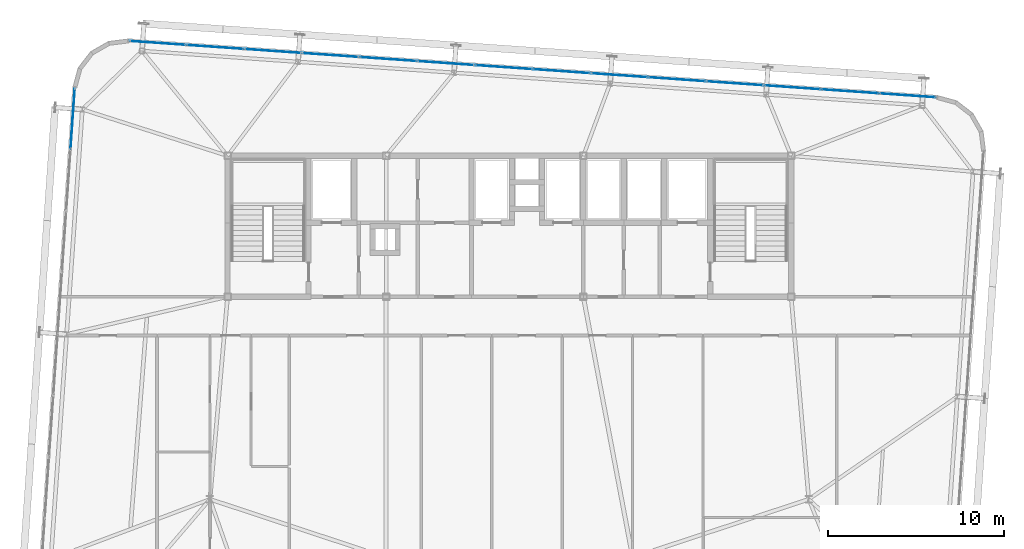
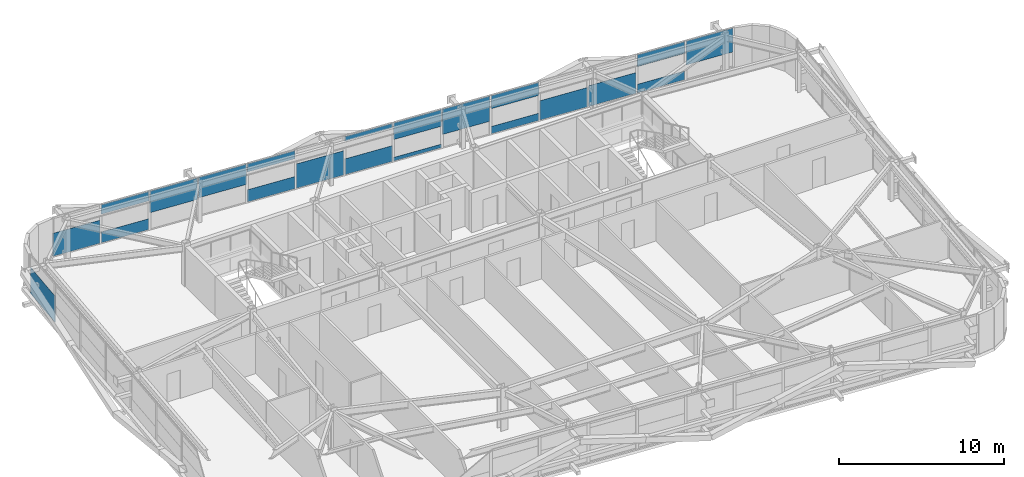
# One storey, part 32 of 47: 21 plates, 2 elements without a shape of their own.
"""IFC4 building model written with IfcOpenShell, lengths in metres."""

import ifcopenshell
import ifcopenshell.guid

model = None  # the IFC model being written
_history = None  # IfcOwnerHistory: only IFC2X3 demands one
_inside = {}  # id of a spatial element -> (the spatial element, [elements in it])
_under = {}  # id of a project, library or spatial element -> (it, [spatial elements below it])
_declared = {}  # id of a project -> (the project, [libraries it declares])
_typed = {}  # id of a type object -> (the type object, [elements of that type])
_made_of = {}  # id of a material, layer set ... -> (it, [elements and type objects made of it])


def new_model(schema):
    """Start an empty IFC model of exactly this schema.

    Asked for "IFC4X3", IfcOpenShell would pick the latest addendum, in which some entities
    have other attributes; the version numbers below select the first issue.
    IFC2X3 requires an IfcOwnerHistory on every rooted entity: one is made here for all.
    """
    global model, _history
    if schema == "IFC4X3":
        model = ifcopenshell.file(schema_version=(4, 3, 0, 0))
    else:
        model = ifcopenshell.file(schema=schema)
    _inside.clear()
    _under.clear()
    _declared.clear()
    _typed.clear()
    _made_of.clear()
    _history = None
    if model.schema == "IFC2X3":
        org = make("IfcOrganization", Name="unknown")
        user = make(
            "IfcPersonAndOrganization",
            ThePerson=make("IfcPerson", FamilyName="unknown"),
            TheOrganization=org,
        )
        app = make(
            "IfcApplication",
            ApplicationDeveloper=org,
            Version="unknown",
            ApplicationFullName="unknown",
            ApplicationIdentifier="unknown",
        )
        _history = make(
            "IfcOwnerHistory",
            OwningUser=user,
            OwningApplication=app,
            ChangeAction="ADDED",
            CreationDate=0,
        )
    return model


def make(cls, **values):
    """One entity of the class cls with the attributes given. An attribute that is None is left unset."""
    return model.create_entity(
        cls, **{name: value for name, value in values.items() if value is not None}
    )


def rooted(cls, **values):
    """An entity with a GlobalId (a new one), such as an element, a storey or a relation."""
    return make(cls, GlobalId=ifcopenshell.guid.new(), OwnerHistory=_history, **values)


def si_unit(unit_type, name, prefix=None):
    """IfcSIUnit, for example si_unit("LENGTHUNIT", "METRE", prefix="MILLI")."""
    return make("IfcSIUnit", UnitType=unit_type, Prefix=prefix, Name=name)


def assignment(units):
    """IfcUnitAssignment: the units of a project."""
    return None if units is None else make("IfcUnitAssignment", Units=units)


def point(xyz):
    """IfcCartesianPoint."""
    return None if xyz is None else make("IfcCartesianPoint", Coordinates=xyz)


def direction(xyz):
    """IfcDirection."""
    return None if xyz is None else make("IfcDirection", DirectionRatios=xyz)


def frame(location, z_axis=None, x_axis=None):
    """IfcAxis2Placement3D, a coordinate frame: its origin and axes. An axis left out is left unset."""
    return make(
        "IfcAxis2Placement3D",
        Location=point(location),
        Axis=direction(z_axis),
        RefDirection=direction(x_axis),
    )


def frame_2d(location, x_axis=None):
    """IfcAxis2Placement2D, a coordinate frame in the plane: its origin and x axis."""
    return make(
        "IfcAxis2Placement2D", Location=point(location), RefDirection=direction(x_axis)
    )


def origin():
    """The frame at (0, 0, 0) with its axes left unset."""
    return frame((0.0, 0.0, 0.0))


def origin_2d():
    """The frame at (0, 0) in the plane with its x axis left unset."""
    return frame_2d((0.0, 0.0))


def place(relative_to, where):
    """IfcLocalPlacement: puts the frame where relative to a parent placement (None: the world)."""
    return make(
        "IfcLocalPlacement", PlacementRelTo=relative_to, RelativePlacement=where
    )


def context(
    kind, dimensions, precision=None, world=None, true_north=None, identifier=None
):
    """IfcGeometricRepresentationContext, for example the 3D "Model" context."""
    return make(
        "IfcGeometricRepresentationContext",
        ContextIdentifier=identifier,
        ContextType=kind,
        CoordinateSpaceDimension=dimensions,
        Precision=precision,
        WorldCoordinateSystem=world,
        TrueNorth=true_north,
    )


def subcontext(parent, identifier, kind, view, scale=None):
    """IfcGeometricRepresentationSubContext, for example "Body" below "Model"."""
    return make(
        "IfcGeometricRepresentationSubContext",
        ContextIdentifier=identifier,
        ContextType=kind,
        ParentContext=parent,
        TargetScale=scale,
        TargetView=view,
    )


def project(units=None, contexts=None):
    """IfcProject with its units and contexts."""
    return rooted(
        "IfcProject",
        Name="project",
        RepresentationContexts=contexts,
        UnitsInContext=assignment(units),
    )


def spatial(cls, under=None, at=None, **own):
    """A site, building, storey or space (cls), placed at a placement, below another one or the project."""
    s = rooted(cls, ObjectPlacement=at, **own)
    if under is not None:
        _under.setdefault(under.id(), (under, []))[1].append(s)
    return s


def profile(cls, at=None, kind="AREA", **sizes):
    """A parametric profile (cls). Its sizes go by their IFC names, for example OverallWidth=200.0."""
    return make(cls, ProfileType=kind, Position=at, **sizes)


def rectangle(**sizes):
    """IfcRectangleProfileDef."""
    return profile("IfcRectangleProfileDef", **sizes)


def extrude(swept, where, along, depth):
    """IfcExtrudedAreaSolid: the profile swept, set in the frame where, extruded along a direction by depth."""
    return make(
        "IfcExtrudedAreaSolid",
        SweptArea=swept,
        Position=where,
        ExtrudedDirection=direction(along),
        Depth=depth,
    )


def shape(context_of_items, identifier, shape_type, items):
    """IfcShapeRepresentation: the items that make up one representation, for example the "Body"."""
    return make(
        "IfcShapeRepresentation",
        ContextOfItems=context_of_items,
        RepresentationIdentifier=identifier,
        RepresentationType=shape_type,
        Items=items,
    )


def source(mapping_origin, context_of_items, identifier, shape_type, items):
    """IfcRepresentationMap: a shape defined once, which mapped items show again and again."""
    return make(
        "IfcRepresentationMap",
        MappingOrigin=mapping_origin,
        MappedRepresentation=shape(context_of_items, identifier, shape_type, items),
    )


def transform(
    local_origin,
    x_axis=None,
    y_axis=None,
    z_axis=None,
    scale=None,
    scale2=None,
    scale3=None,
    uniform=True,
):
    """IfcCartesianTransformationOperator3D, or its non-uniform kind. x_axis, y_axis, z_axis: its Axis1, 2, 3."""
    if uniform:
        return make(
            "IfcCartesianTransformationOperator3D",
            Axis1=direction(x_axis),
            Axis2=direction(y_axis),
            LocalOrigin=point(local_origin),
            Scale=scale,
            Axis3=direction(z_axis),
        )
    return make(
        "IfcCartesianTransformationOperator3DnonUniform",
        Axis1=direction(x_axis),
        Axis2=direction(y_axis),
        LocalOrigin=point(local_origin),
        Scale=scale,
        Axis3=direction(z_axis),
        Scale2=scale2,
        Scale3=scale3,
    )


def mapped(mapping_source, mapping_target):
    """IfcMappedItem: shows the shape of a source again, moved by a transform."""
    return make(
        "IfcMappedItem", MappingSource=mapping_source, MappingTarget=mapping_target
    )


def material(Name=None, Category=None):
    """IfcMaterial."""
    return make("IfcMaterial", Name=Name, Category=Category)


def layer(
    of_material, thickness, ventilated=None, Name=None, Category=None, Priority=None
):
    """IfcMaterialLayer: one layer of a wall or slab, of a material (None: an air gap)."""
    return make(
        "IfcMaterialLayer",
        Material=of_material,
        LayerThickness=thickness,
        IsVentilated=ventilated,
        Name=Name,
        Category=Category,
        Priority=Priority,
    )


def layer_set(layers, Name=None):
    """IfcMaterialLayerSet."""
    return make("IfcMaterialLayerSet", MaterialLayers=layers, LayerSetName=Name)


def made_of(thing, what):
    """Note that an element or type object is made of a material, layer set ...; save() writes the relation."""
    if what is not None:
        _made_of.setdefault(what.id(), (what, []))[1].append(thing)
    return thing


def type_object(cls, material=None, **own):
    """A type object (cls), such as IfcWallType, which elements share."""
    return made_of(rooted(cls, **own), material)


def element(
    cls,
    number,
    at=None,
    inside=None,
    cuts=None,
    type_object=None,
    material=None,
    context=None,
    identifier="Body",
    shape_type=None,
    held_by="IfcProductDefinitionShape",
    body=None,
    shapes=None,
    **own,
):
    """One element of the class cls, such as IfcWall. Its Tag is "e" and its number.

    at: its placement. inside: the storey or other place that contains it. cuts: it is an
    opening in that element (IfcRelVoidsElement). A single representation is given by context,
    identifier, shape_type and body (its items); several are given by shapes. held_by: the class
    of the entity that holds the representations. save() writes the other relations.
    """
    e = rooted(cls, Tag="e%d" % number, ObjectPlacement=at, **own)
    if body is not None:
        shapes = [shape(context, identifier, shape_type, body)]
    if shapes is not None:
        e.Representation = make(held_by, Representations=shapes)
    if inside is not None:
        _inside.setdefault(inside.id(), (inside, []))[1].append(e)
    if cuts is not None:
        rooted(
            "IfcRelVoidsElement", RelatingBuildingElement=cuts, RelatedOpeningElement=e
        )
    if type_object is not None:
        _typed.setdefault(type_object.id(), (type_object, []))[1].append(e)
    return made_of(e, material)


def aggregate(whole, parts):
    """IfcRelAggregates: a whole, such as a stair, and the parts it consists of."""
    return rooted("IfcRelAggregates", RelatingObject=whole, RelatedObjects=parts)


def save(model, path):
    """Write the relations noted so far, then the file.

    IfcRelAggregates (storeys below a building ...), IfcRelContainedInSpatialStructure (elements
    in a storey), IfcRelDefinesByType, IfcRelAssociatesMaterial and IfcRelDeclares: one each for
    every whole, place, type object, material and project.
    """
    for whole, parts in _under.values():
        aggregate(whole, parts)
    for where, things in _inside.values():
        rooted(
            "IfcRelContainedInSpatialStructure",
            RelatedElements=things,
            RelatingStructure=where,
        )
    for kind, things in _typed.values():
        rooted("IfcRelDefinesByType", RelatedObjects=things, RelatingType=kind)
    for what, things in _made_of.values():
        rooted("IfcRelAssociatesMaterial", RelatedObjects=things, RelatingMaterial=what)
    for by, libraries in _declared.values():
        rooted("IfcRelDeclares", RelatingContext=by, RelatedDefinitions=libraries)
    model.write(path)


model = new_model("IFC4")

# Units and contexts
model_context = context("Model", 3, precision=1e-05, world=origin(), true_north=direction((0.0, 1.0)))
body_context = subcontext(model_context, "Body", "Model", "MODEL_VIEW")
ifc_project = project(units=[si_unit("LENGTHUNIT", "METRE"), si_unit("AREAUNIT", "SQUARE_METRE"), si_unit("VOLUMEUNIT", "CUBIC_METRE"), si_unit("PLANEANGLEUNIT", "RADIAN"), si_unit("MASSUNIT", "GRAM", prefix="KILO")], contexts=[model_context])

# Site, building, storey
site_placement = place(None, origin())
site = spatial("IfcSite", under=ifc_project, at=site_placement, CompositionType="ELEMENT")
building_placement = place(site_placement, origin())
building = spatial("IfcBuilding", under=site, at=building_placement, Name="Taldren Reach Tower", CompositionType="ELEMENT")
storey_placement = place(building_placement, frame((0.0, 0.0, 142.449951171875)))
storey = spatial("IfcBuildingStorey", under=building, at=storey_placement, Name="L43", CompositionType="ELEMENT", Elevation=142.449951171875)

# Curtain wall, plates
ifc_material_1 = material(Name="Aluminium and Low-E Glass Unitised System", Category="aluminium")
ifc_layer_1 = layer(ifc_material_1, 0.159912109375)
ifc_layer_set_1 = layer_set([ifc_layer_1], Name="Aluminium and Low-E Glass Unitised System")
curtain_wall_type = type_object("IfcCurtainWallType", Name="CW-SYS-4", PredefinedType="NOTDEFINED", material=ifc_layer_set_1)
curtain_wall_1_placement = place(storey_placement, origin())
curtain_wall_1 = element("IfcCurtainWall", 1, at=curtain_wall_1_placement, inside=storey, type_object=curtain_wall_type, Name="Unitised curtain wall CW-L43-N", PredefinedType="NOTDEFINED")
ifc_material_2 = material(Name="Solar-Control Double Glazed IGU", Category="glass")
ifc_layer_2 = layer(ifc_material_2, 0.031982421875)
ifc_layer_set_2 = layer_set([ifc_layer_2], Name="Solar-Control Double Glazed IGU")
plate_type = type_object("IfcPlateType", Name="CW-PNL-IGU32", PredefinedType="CURTAIN_PANEL", material=ifc_layer_set_2)
shared_shape_1 = source(origin(), body_context, "Body", "SweptSolid", [
    extrude(rectangle(XDim=3.1806640625, YDim=0.031982421875, at=origin_2d()), origin(), (0.0, 0.0, 1.0), 1.766845703125),
])
plate_1_placement = place(storey_placement, frame((57.61376953125, 35.430419921875, 1.1083984375), z_axis=(0.0, 0.0, 1.0), x_axis=(-0.99756404731, 0.06975651593, 0.0)))
plate_1 = element("IfcPlate", 2, at=plate_1_placement, type_object=plate_type, Name="CW-4 panel 1.1 part 1", PredefinedType="CURTAIN_PANEL", context=body_context, shape_type="MappedRepresentation", body=[
    mapped(shared_shape_1, transform((0.0, 0.0, 0.0), scale=1.0)),
])
shared_shape_2 = source(origin(), body_context, "Body", "SweptSolid", [
    extrude(rectangle(XDim=3.2158203125, YDim=0.031982421875, at=origin_2d()), origin(), (0.0, 0.0, 1.0), 0.63720703125),
])
plate_2_placement = place(storey_placement, frame((54.353515625, 35.658447265625, 0.05517578125), z_axis=(0.0, 0.0, 1.0), x_axis=(-0.99756404731, 0.06975651593, 0.0)))
plate_2 = element("IfcPlate", 3, at=plate_2_placement, type_object=plate_type, Name="CW-4 panel 2.1 part 1", PredefinedType="CURTAIN_PANEL", context=body_context, shape_type="MappedRepresentation", body=[
    mapped(shared_shape_2, transform((0.0, 0.0, 0.0), scale=1.0)),
])
shared_shape_3 = source(origin(), body_context, "Body", "SweptSolid", [
    extrude(rectangle(XDim=3.2158203125, YDim=0.031982421875, at=origin_2d()), origin(), (0.0, 0.0, 1.0), 0.86767578125),
])
plate_3_placement = place(storey_placement, frame((54.353515625, 35.658447265625, 2.00732421875), z_axis=(0.0, 0.0, 1.0), x_axis=(-0.99756404731, 0.06975651593, 0.0)))
plate_3 = element("IfcPlate", 4, at=plate_3_placement, type_object=plate_type, Name="CW-4 panel 2.1 part 2", PredefinedType="CURTAIN_PANEL", context=body_context, shape_type="MappedRepresentation", body=[
    mapped(shared_shape_3, transform((0.0, 0.0, 0.0), scale=1.0)),
])
shared_shape_4 = source(origin(), body_context, "Body", "SweptSolid", [
    extrude(rectangle(XDim=3.2158203125, YDim=0.031982421875, at=origin_2d()), origin(), (0.0, 0.0, 1.0), 1.536376953125),
])
plate_4_placement = place(storey_placement, frame((51.07568359375, 35.887451171875, 0.05517578125), z_axis=(0.0, 0.0, 1.0), x_axis=(-0.99756404731, 0.06975651593, 0.0)))
plate_4 = element("IfcPlate", 5, at=plate_4_placement, type_object=plate_type, Name="CW-4 panel 3.1 part 1", PredefinedType="CURTAIN_PANEL", context=body_context, shape_type="MappedRepresentation", body=[
    mapped(shared_shape_4, transform((0.0, 0.0, 0.0), scale=1.0)),
])
shared_shape_5 = source(origin(), body_context, "Body", "SweptSolid", [
    extrude(rectangle(XDim=3.2158203125, YDim=0.031982421875, at=origin_2d()), origin(), (0.0, 0.0, 1.0), 1.439453125),
])
plate_5_placement = place(storey_placement, frame((47.798095703125, 36.11669921875, 0.054931640625), z_axis=(0.0, 0.0, 1.0), x_axis=(-0.99756404731, 0.06975651593, 0.0)))
plate_5 = element("IfcPlate", 6, at=plate_5_placement, type_object=plate_type, Name="CW-4 panel 4.1 part 1", PredefinedType="CURTAIN_PANEL", context=body_context, shape_type="MappedRepresentation", body=[
    mapped(shared_shape_5, transform((0.0, 0.0, 0.0), scale=1.0)),
])
shared_shape_6 = source(origin(), body_context, "Body", "SweptSolid", [
    extrude(rectangle(XDim=3.2158203125, YDim=0.031982421875, at=origin_2d()), origin(), (0.0, 0.0, 1.0), 0.540283203125),
])
plate_6_placement = place(storey_placement, frame((44.520263671875, 36.345947265625, 0.05517578125), z_axis=(0.0, 0.0, 1.0), x_axis=(-0.99756404731, 0.06975651593, 0.0)))
plate_6 = element("IfcPlate", 7, at=plate_6_placement, type_object=plate_type, Name="CW-4 panel 5.1 part 1", PredefinedType="CURTAIN_PANEL", context=body_context, shape_type="MappedRepresentation", body=[
    mapped(shared_shape_6, transform((0.0, 0.0, 0.0), scale=1.0)),
])
shared_shape_7 = source(origin(), body_context, "Body", "SweptSolid", [
    extrude(rectangle(XDim=3.2158203125, YDim=0.031982421875, at=origin_2d()), origin(), (0.0, 0.0, 1.0), 0.964599609375),
])
plate_7_placement = place(storey_placement, frame((44.520263671875, 36.345947265625, 1.91064453125), z_axis=(0.0, 0.0, 1.0), x_axis=(-0.99756404731, 0.06975651593, 0.0)))
plate_7 = element("IfcPlate", 8, at=plate_7_placement, type_object=plate_type, Name="CW-4 panel 5.1 part 2", PredefinedType="CURTAIN_PANEL", context=body_context, shape_type="MappedRepresentation", body=[
    mapped(shared_shape_7, transform((0.0, 0.0, 0.0), scale=1.0)),
])
shared_shape_8 = source(origin(), body_context, "Body", "SweptSolid", [
    extrude(rectangle(XDim=3.2158203125, YDim=0.031982421875, at=origin_2d()), origin(), (0.0, 0.0, 1.0), 1.86376953125),
])
plate_8_placement = place(storey_placement, frame((41.24267578125, 36.5751953125, 1.01123046875), z_axis=(0.0, 0.0, 1.0), x_axis=(-0.99756404731, 0.06975651593, 0.0)))
plate_8 = element("IfcPlate", 9, at=plate_8_placement, type_object=plate_type, Name="CW-4 panel 6.1 part 1", PredefinedType="CURTAIN_PANEL", context=body_context, shape_type="MappedRepresentation", body=[
    mapped(shared_shape_8, transform((0.0, 0.0, 0.0), scale=1.0)),
])
shared_shape_9 = source(origin(), body_context, "Body", "SweptSolid", [
    extrude(rectangle(XDim=3.2158203125, YDim=0.031982421875, at=origin_2d()), origin(), (0.0, 0.0, 1.0), 0.27294921875),
])
plate_9_placement = place(storey_placement, frame((37.96484375, 36.804443359375, 0.054931640625), z_axis=(0.0, 0.0, 1.0), x_axis=(-0.99756404731, 0.06975651593, 0.0)))
plate_9 = element("IfcPlate", 10, at=plate_9_placement, type_object=plate_type, Name="CW-4 panel 7.1 part 1", PredefinedType="CURTAIN_PANEL", context=body_context, shape_type="MappedRepresentation", body=[
    mapped(shared_shape_9, transform((0.0, 0.0, 0.0), scale=1.0)),
])
shared_shape_10 = source(origin(), body_context, "Body", "SweptSolid", [
    extrude(rectangle(XDim=3.2158203125, YDim=0.031982421875, at=origin_2d()), origin(), (0.0, 0.0, 1.0), 1.23193359375),
])
plate_10_placement = place(storey_placement, frame((37.96484375, 36.804443359375, 1.64306640625), z_axis=(0.0, 0.0, 1.0), x_axis=(-0.99756404731, 0.06975651593, 0.0)))
plate_10 = element("IfcPlate", 11, at=plate_10_placement, type_object=plate_type, Name="CW-4 panel 7.1 part 2", PredefinedType="CURTAIN_PANEL", context=body_context, shape_type="MappedRepresentation", body=[
    mapped(shared_shape_10, transform((0.0, 0.0, 0.0), scale=1.0)),
])
shared_shape_11 = source(origin(), body_context, "Body", "SweptSolid", [
    extrude(rectangle(XDim=3.2158203125, YDim=0.031982421875, at=origin_2d()), origin(), (0.0, 0.0, 1.0), 1.172119140625),
])
plate_11_placement = place(storey_placement, frame((34.687255859375, 37.033447265625, 0.05517578125), z_axis=(0.0, 0.0, 1.0), x_axis=(-0.99756404731, 0.06975651593, 0.0)))
plate_11 = element("IfcPlate", 12, at=plate_11_placement, type_object=plate_type, Name="CW-4 panel 8.1 part 1", PredefinedType="CURTAIN_PANEL", context=body_context, shape_type="MappedRepresentation", body=[
    mapped(shared_shape_11, transform((0.0, 0.0, 0.0), scale=1.0)),
])
shared_shape_12 = source(origin(), body_context, "Body", "SweptSolid", [
    extrude(rectangle(XDim=3.2158203125, YDim=0.031982421875, at=origin_2d()), origin(), (0.0, 0.0, 1.0), 0.3330078125),
])
plate_12_placement = place(storey_placement, frame((34.687255859375, 37.033447265625, 2.5419921875), z_axis=(0.0, 0.0, 1.0), x_axis=(-0.99756404731, 0.06975651593, 0.0)))
plate_12 = element("IfcPlate", 13, at=plate_12_placement, type_object=plate_type, Name="CW-4 panel 8.1 part 2", PredefinedType="CURTAIN_PANEL", context=body_context, shape_type="MappedRepresentation", body=[
    mapped(shared_shape_12, transform((0.0, 0.0, 0.0), scale=1.0)),
])
shared_shape_13 = source(origin(), body_context, "Body", "SweptSolid", [
    extrude(rectangle(XDim=3.2158203125, YDim=0.031982421875, at=origin_2d()), origin(), (0.0, 0.0, 1.0), 1.8037109375),
])
plate_13_placement = place(storey_placement, frame((31.409423828125, 37.2626953125, 0.05517578125), z_axis=(0.0, 0.0, 1.0), x_axis=(-0.99756404731, 0.06975651593, 0.0)))
plate_13 = element("IfcPlate", 14, at=plate_13_placement, type_object=plate_type, Name="CW-4 panel 9.1 part 1", PredefinedType="CURTAIN_PANEL", context=body_context, shape_type="MappedRepresentation", body=[
    mapped(shared_shape_13, transform((0.0, 0.0, 0.0), scale=1.0)),
])
shared_shape_14 = source(origin(), body_context, "Body", "SweptSolid", [
    extrude(rectangle(XDim=3.2158203125, YDim=0.031982421875, at=origin_2d()), origin(), (0.0, 0.0, 1.0), 0.904541015625),
])
plate_14_placement = place(storey_placement, frame((28.1318359375, 37.491943359375, 0.05517578125), z_axis=(0.0, 0.0, 1.0), x_axis=(-0.99756404731, 0.06975651593, 0.0)))
plate_14 = element("IfcPlate", 15, at=plate_14_placement, type_object=plate_type, Name="CW-4 panel 10.1 part 1", PredefinedType="CURTAIN_PANEL", context=body_context, shape_type="MappedRepresentation", body=[
    mapped(shared_shape_14, transform((0.0, 0.0, 0.0), scale=1.0)),
])
shared_shape_15 = source(origin(), body_context, "Body", "SweptSolid", [
    extrude(rectangle(XDim=3.2158203125, YDim=0.031982421875, at=origin_2d()), origin(), (0.0, 0.0, 1.0), 0.600341796875),
])
plate_15_placement = place(storey_placement, frame((28.1318359375, 37.491943359375, 2.27490234375), z_axis=(0.0, 0.0, 1.0), x_axis=(-0.99756404731, 0.06975651593, 0.0)))
plate_15 = element("IfcPlate", 16, at=plate_15_placement, type_object=plate_type, Name="CW-4 panel 10.1 part 2", PredefinedType="CURTAIN_PANEL", context=body_context, shape_type="MappedRepresentation", body=[
    mapped(shared_shape_15, transform((0.0, 0.0, 0.0), scale=1.0)),
])
shared_shape_16 = source(origin(), body_context, "Body", "SweptSolid", [
    extrude(rectangle(XDim=3.2158203125, YDim=0.031982421875, at=origin_2d()), origin(), (0.0, 0.0, 1.0), 1.49951171875),
])
plate_16_placement = place(storey_placement, frame((24.85400390625, 37.72119140625, 1.37548828125), z_axis=(0.0, 0.0, 1.0), x_axis=(-0.99756404731, 0.06975651593, 0.0)))
plate_16 = element("IfcPlate", 17, at=plate_16_placement, type_object=plate_type, Name="CW-4 panel 11.1 part 1", PredefinedType="CURTAIN_PANEL", context=body_context, shape_type="MappedRepresentation", body=[
    mapped(shared_shape_16, transform((0.0, 0.0, 0.0), scale=1.0)),
])
shared_shape_17 = source(origin(), body_context, "Body", "SweptSolid", [
    extrude(rectangle(XDim=3.2158203125, YDim=0.031982421875, at=origin_2d()), origin(), (0.0, 0.0, 1.0), 1.596435546875),
])
plate_17_placement = place(storey_placement, frame((21.576416015625, 37.950439453125, 1.27880859375), z_axis=(0.0, 0.0, 1.0), x_axis=(-0.99756404731, 0.06975651593, 0.0)))
plate_17 = element("IfcPlate", 18, at=plate_17_placement, type_object=plate_type, Name="CW-4 panel 12.1 part 1", PredefinedType="CURTAIN_PANEL", context=body_context, shape_type="MappedRepresentation", body=[
    mapped(shared_shape_17, transform((0.0, 0.0, 0.0), scale=1.0)),
])
shared_shape_18 = source(origin(), body_context, "Body", "SweptSolid", [
    extrude(rectangle(XDim=3.2158203125, YDim=0.031982421875, at=origin_2d()), origin(), (0.0, 0.0, 1.0), 0.8076171875),
])
plate_18_placement = place(storey_placement, frame((18.298583984375, 38.179443359375, 0.05517578125), z_axis=(0.0, 0.0, 1.0), x_axis=(-0.99756404731, 0.06975651593, 0.0)))
plate_18 = element("IfcPlate", 19, at=plate_18_placement, type_object=plate_type, Name="CW-4 panel 13.1 part 1", PredefinedType="CURTAIN_PANEL", context=body_context, shape_type="MappedRepresentation", body=[
    mapped(shared_shape_18, transform((0.0, 0.0, 0.0), scale=1.0)),
])
shared_shape_19 = source(origin(), body_context, "Body", "SweptSolid", [
    extrude(rectangle(XDim=3.2158203125, YDim=0.031982421875, at=origin_2d()), origin(), (0.0, 0.0, 1.0), 0.697265625),
])
plate_19_placement = place(storey_placement, frame((18.298583984375, 38.179443359375, 2.177734375), z_axis=(0.0, 0.0, 1.0), x_axis=(-0.99756404731, 0.06975651593, 0.0)))
plate_19 = element("IfcPlate", 20, at=plate_19_placement, type_object=plate_type, Name="CW-4 panel 13.1 part 2", PredefinedType="CURTAIN_PANEL", context=body_context, shape_type="MappedRepresentation", body=[
    mapped(shared_shape_19, transform((0.0, 0.0, 0.0), scale=1.0)),
])
shared_shape_20 = source(origin(), body_context, "Body", "SweptSolid", [
    extrude(rectangle(XDim=3.1806640625, YDim=0.031982421875, at=origin_2d()), origin(), (0.0, 0.0, 1.0), 1.706787109375),
])
plate_20_placement = place(storey_placement, frame((15.038330078125, 38.407470703125, 0.05517578125), z_axis=(0.0, 0.0, 1.0), x_axis=(-0.99756404731, 0.06975651593, 0.0)))
plate_20 = element("IfcPlate", 21, at=plate_20_placement, type_object=plate_type, Name="CW-4 panel 14.1 part 1", PredefinedType="CURTAIN_PANEL", context=body_context, shape_type="MappedRepresentation", body=[
    mapped(shared_shape_20, transform((0.0, 0.0, 0.0), scale=1.0)),
])
aggregate(curtain_wall_1, [plate_1, plate_2, plate_3, plate_4, plate_5, plate_6, plate_7, plate_8, plate_9, plate_10, plate_11, plate_12, plate_13, plate_14, plate_15, plate_16, plate_17, plate_18, plate_19, plate_20])

# Curtain wall, plate
curtain_wall_2_placement = place(storey_placement, origin())
curtain_wall_2 = element("IfcCurtainWall", 22, at=curtain_wall_2_placement, inside=storey, type_object=curtain_wall_type, Name="Unitised curtain wall CW-L43-W", PredefinedType="NOTDEFINED")
shared_shape_21 = source(origin(), body_context, "Body", "SweptSolid", [
    extrude(rectangle(XDim=3.39501953125, YDim=0.031982421875, at=origin_2d()), origin(), (0.0, 0.0, 1.0), 1.951416015625),
])
plate_21_placement = place(storey_placement, frame((10.206298828125, 34.106689453125, 0.05517578125), z_axis=(0.0, 0.0, 1.0), x_axis=(-0.069756437251, -0.997564052812, 0.0)))
plate_21 = element("IfcPlate", 23, at=plate_21_placement, type_object=plate_type, Name="CW-4 panel 1.1 part 1", PredefinedType="CURTAIN_PANEL", context=body_context, shape_type="MappedRepresentation", body=[
    mapped(shared_shape_21, transform((0.0, 0.0, 0.0), scale=1.0)),
])
aggregate(curtain_wall_2, [plate_21])

save(model, "model.ifc")
